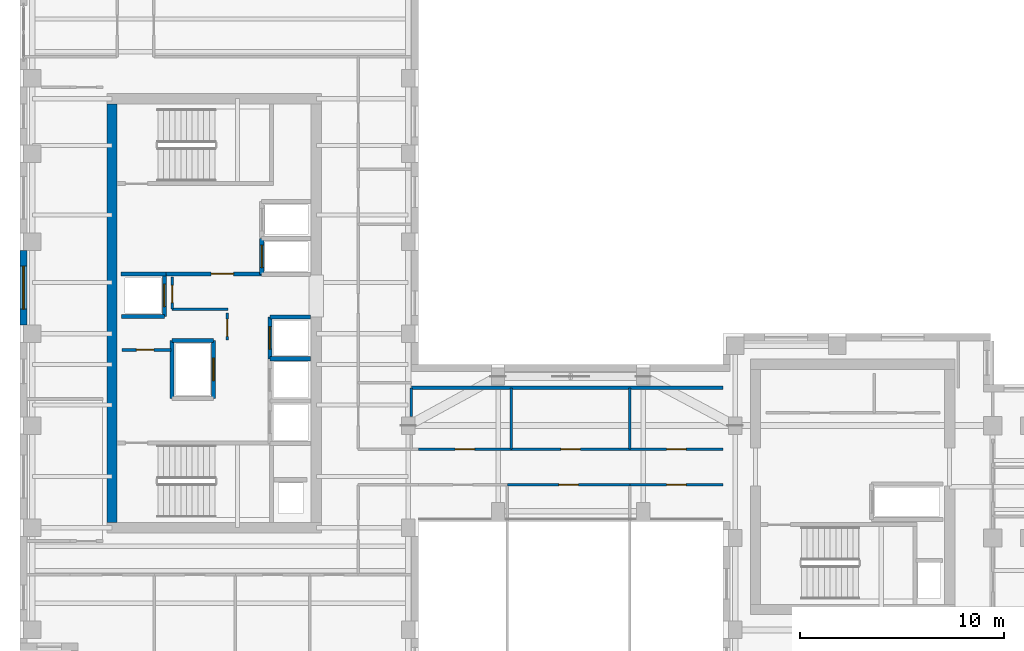
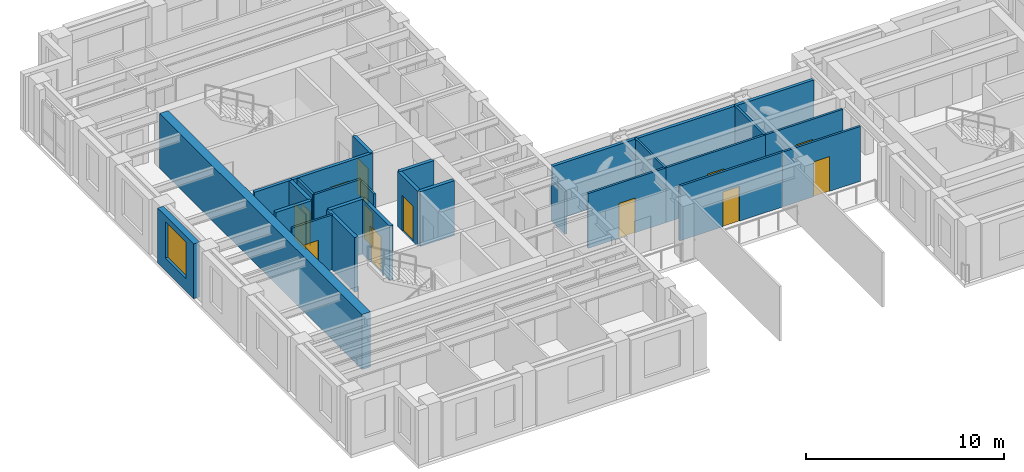
# One storey, part 7 of 14: 26 walls, 13 doors, 1 window, 14 openings.
"""IFC4 building model written with IfcOpenShell, lengths in metres."""

import ifcopenshell
import ifcopenshell.guid

model = None  # the IFC model being written
_history = None  # IfcOwnerHistory: only IFC2X3 demands one
_inside = {}  # id of a spatial element -> (the spatial element, [elements in it])
_under = {}  # id of a project, library or spatial element -> (it, [spatial elements below it])
_declared = {}  # id of a project -> (the project, [libraries it declares])
_typed = {}  # id of a type object -> (the type object, [elements of that type])
_made_of = {}  # id of a material, layer set ... -> (it, [elements and type objects made of it])


def new_model(schema):
    """Start an empty IFC model of exactly this schema.

    Asked for "IFC4X3", IfcOpenShell would pick the latest addendum, in which some entities
    have other attributes; the version numbers below select the first issue.
    IFC2X3 requires an IfcOwnerHistory on every rooted entity: one is made here for all.
    """
    global model, _history
    if schema == "IFC4X3":
        model = ifcopenshell.file(schema_version=(4, 3, 0, 0))
    else:
        model = ifcopenshell.file(schema=schema)
    _inside.clear()
    _under.clear()
    _declared.clear()
    _typed.clear()
    _made_of.clear()
    _history = None
    if model.schema == "IFC2X3":
        org = make("IfcOrganization", Name="unknown")
        user = make(
            "IfcPersonAndOrganization",
            ThePerson=make("IfcPerson", FamilyName="unknown"),
            TheOrganization=org,
        )
        app = make(
            "IfcApplication",
            ApplicationDeveloper=org,
            Version="unknown",
            ApplicationFullName="unknown",
            ApplicationIdentifier="unknown",
        )
        _history = make(
            "IfcOwnerHistory",
            OwningUser=user,
            OwningApplication=app,
            ChangeAction="ADDED",
            CreationDate=0,
        )
    return model


def make(cls, **values):
    """One entity of the class cls with the attributes given. An attribute that is None is left unset."""
    return model.create_entity(
        cls, **{name: value for name, value in values.items() if value is not None}
    )


def rooted(cls, **values):
    """An entity with a GlobalId (a new one), such as an element, a storey or a relation."""
    return make(cls, GlobalId=ifcopenshell.guid.new(), OwnerHistory=_history, **values)


def si_unit(unit_type, name, prefix=None):
    """IfcSIUnit, for example si_unit("LENGTHUNIT", "METRE", prefix="MILLI")."""
    return make("IfcSIUnit", UnitType=unit_type, Prefix=prefix, Name=name)


def assignment(units):
    """IfcUnitAssignment: the units of a project."""
    return None if units is None else make("IfcUnitAssignment", Units=units)


def point(xyz):
    """IfcCartesianPoint."""
    return None if xyz is None else make("IfcCartesianPoint", Coordinates=xyz)


def direction(xyz):
    """IfcDirection."""
    return None if xyz is None else make("IfcDirection", DirectionRatios=xyz)


def frame(location, z_axis=None, x_axis=None):
    """IfcAxis2Placement3D, a coordinate frame: its origin and axes. An axis left out is left unset."""
    return make(
        "IfcAxis2Placement3D",
        Location=point(location),
        Axis=direction(z_axis),
        RefDirection=direction(x_axis),
    )


def frame_2d(location, x_axis=None):
    """IfcAxis2Placement2D, a coordinate frame in the plane: its origin and x axis."""
    return make(
        "IfcAxis2Placement2D", Location=point(location), RefDirection=direction(x_axis)
    )


def origin():
    """The frame at (0, 0, 0) with its axes left unset."""
    return frame((0.0, 0.0, 0.0))


def place(relative_to, where):
    """IfcLocalPlacement: puts the frame where relative to a parent placement (None: the world)."""
    return make(
        "IfcLocalPlacement", PlacementRelTo=relative_to, RelativePlacement=where
    )


def context(
    kind, dimensions, precision=None, world=None, true_north=None, identifier=None
):
    """IfcGeometricRepresentationContext, for example the 3D "Model" context."""
    return make(
        "IfcGeometricRepresentationContext",
        ContextIdentifier=identifier,
        ContextType=kind,
        CoordinateSpaceDimension=dimensions,
        Precision=precision,
        WorldCoordinateSystem=world,
        TrueNorth=true_north,
    )


def subcontext(parent, identifier, kind, view, scale=None):
    """IfcGeometricRepresentationSubContext, for example "Body" below "Model"."""
    return make(
        "IfcGeometricRepresentationSubContext",
        ContextIdentifier=identifier,
        ContextType=kind,
        ParentContext=parent,
        TargetScale=scale,
        TargetView=view,
    )


def project(units=None, contexts=None):
    """IfcProject with its units and contexts."""
    return rooted(
        "IfcProject",
        Name="project",
        RepresentationContexts=contexts,
        UnitsInContext=assignment(units),
    )


def spatial(cls, under=None, at=None, **own):
    """A site, building, storey or space (cls), placed at a placement, below another one or the project."""
    s = rooted(cls, ObjectPlacement=at, **own)
    if under is not None:
        _under.setdefault(under.id(), (under, []))[1].append(s)
    return s


def profile(cls, at=None, kind="AREA", **sizes):
    """A parametric profile (cls). Its sizes go by their IFC names, for example OverallWidth=200.0."""
    return make(cls, ProfileType=kind, Position=at, **sizes)


def rectangle(**sizes):
    """IfcRectangleProfileDef."""
    return profile("IfcRectangleProfileDef", **sizes)


def extrude(swept, where, along, depth):
    """IfcExtrudedAreaSolid: the profile swept, set in the frame where, extruded along a direction by depth."""
    return make(
        "IfcExtrudedAreaSolid",
        SweptArea=swept,
        Position=where,
        ExtrudedDirection=direction(along),
        Depth=depth,
    )


def shape(context_of_items, identifier, shape_type, items):
    """IfcShapeRepresentation: the items that make up one representation, for example the "Body"."""
    return make(
        "IfcShapeRepresentation",
        ContextOfItems=context_of_items,
        RepresentationIdentifier=identifier,
        RepresentationType=shape_type,
        Items=items,
    )


def source(mapping_origin, context_of_items, identifier, shape_type, items):
    """IfcRepresentationMap: a shape defined once, which mapped items show again and again."""
    return make(
        "IfcRepresentationMap",
        MappingOrigin=mapping_origin,
        MappedRepresentation=shape(context_of_items, identifier, shape_type, items),
    )


def transform(
    local_origin,
    x_axis=None,
    y_axis=None,
    z_axis=None,
    scale=None,
    scale2=None,
    scale3=None,
    uniform=True,
):
    """IfcCartesianTransformationOperator3D, or its non-uniform kind. x_axis, y_axis, z_axis: its Axis1, 2, 3."""
    if uniform:
        return make(
            "IfcCartesianTransformationOperator3D",
            Axis1=direction(x_axis),
            Axis2=direction(y_axis),
            LocalOrigin=point(local_origin),
            Scale=scale,
            Axis3=direction(z_axis),
        )
    return make(
        "IfcCartesianTransformationOperator3DnonUniform",
        Axis1=direction(x_axis),
        Axis2=direction(y_axis),
        LocalOrigin=point(local_origin),
        Scale=scale,
        Axis3=direction(z_axis),
        Scale2=scale2,
        Scale3=scale3,
    )


def mapped(mapping_source, mapping_target):
    """IfcMappedItem: shows the shape of a source again, moved by a transform."""
    return make(
        "IfcMappedItem", MappingSource=mapping_source, MappingTarget=mapping_target
    )


def material(Name=None, Category=None):
    """IfcMaterial."""
    return make("IfcMaterial", Name=Name, Category=Category)


def layer(
    of_material, thickness, ventilated=None, Name=None, Category=None, Priority=None
):
    """IfcMaterialLayer: one layer of a wall or slab, of a material (None: an air gap)."""
    return make(
        "IfcMaterialLayer",
        Material=of_material,
        LayerThickness=thickness,
        IsVentilated=ventilated,
        Name=Name,
        Category=Category,
        Priority=Priority,
    )


def layer_set(layers, Name=None):
    """IfcMaterialLayerSet."""
    return make("IfcMaterialLayerSet", MaterialLayers=layers, LayerSetName=Name)


def made_of(thing, what):
    """Note that an element or type object is made of a material, layer set ...; save() writes the relation."""
    if what is not None:
        _made_of.setdefault(what.id(), (what, []))[1].append(thing)
    return thing


def type_object(cls, material=None, **own):
    """A type object (cls), such as IfcWallType, which elements share."""
    return made_of(rooted(cls, **own), material)


def element(
    cls,
    number,
    at=None,
    inside=None,
    cuts=None,
    type_object=None,
    material=None,
    context=None,
    identifier="Body",
    shape_type=None,
    held_by="IfcProductDefinitionShape",
    body=None,
    shapes=None,
    **own,
):
    """One element of the class cls, such as IfcWall. Its Tag is "e" and its number.

    at: its placement. inside: the storey or other place that contains it. cuts: it is an
    opening in that element (IfcRelVoidsElement). A single representation is given by context,
    identifier, shape_type and body (its items); several are given by shapes. held_by: the class
    of the entity that holds the representations. save() writes the other relations.
    """
    e = rooted(cls, Tag="e%d" % number, ObjectPlacement=at, **own)
    if body is not None:
        shapes = [shape(context, identifier, shape_type, body)]
    if shapes is not None:
        e.Representation = make(held_by, Representations=shapes)
    if inside is not None:
        _inside.setdefault(inside.id(), (inside, []))[1].append(e)
    if cuts is not None:
        rooted(
            "IfcRelVoidsElement", RelatingBuildingElement=cuts, RelatedOpeningElement=e
        )
    if type_object is not None:
        _typed.setdefault(type_object.id(), (type_object, []))[1].append(e)
    return made_of(e, material)


def fill(opening, filler):
    """IfcRelFillsElement: the door or window that sits in an opening."""
    return rooted(
        "IfcRelFillsElement",
        RelatingOpeningElement=opening,
        RelatedBuildingElement=filler,
    )


def aggregate(whole, parts):
    """IfcRelAggregates: a whole, such as a stair, and the parts it consists of."""
    return rooted("IfcRelAggregates", RelatingObject=whole, RelatedObjects=parts)


def save(model, path):
    """Write the relations noted so far, then the file.

    IfcRelAggregates (storeys below a building ...), IfcRelContainedInSpatialStructure (elements
    in a storey), IfcRelDefinesByType, IfcRelAssociatesMaterial and IfcRelDeclares: one each for
    every whole, place, type object, material and project.
    """
    for whole, parts in _under.values():
        aggregate(whole, parts)
    for where, things in _inside.values():
        rooted(
            "IfcRelContainedInSpatialStructure",
            RelatedElements=things,
            RelatingStructure=where,
        )
    for kind, things in _typed.values():
        rooted("IfcRelDefinesByType", RelatedObjects=things, RelatingType=kind)
    for what, things in _made_of.values():
        rooted("IfcRelAssociatesMaterial", RelatedObjects=things, RelatingMaterial=what)
    for by, libraries in _declared.values():
        rooted("IfcRelDeclares", RelatingContext=by, RelatedDefinitions=libraries)
    model.write(path)


model = new_model("IFC4")

# Units and contexts
model_context = context("Model", 3, precision=1e-05, world=origin(), true_north=direction((0.0, 1.0)))
body_context = subcontext(model_context, "Body", "Model", "MODEL_VIEW")
ifc_project = project(units=[si_unit("LENGTHUNIT", "METRE"), si_unit("AREAUNIT", "SQUARE_METRE"), si_unit("VOLUMEUNIT", "CUBIC_METRE"), si_unit("PLANEANGLEUNIT", "RADIAN"), si_unit("MASSUNIT", "GRAM", prefix="KILO")], contexts=[model_context])

# Site, building, storey
site_placement = place(None, origin())
site = spatial("IfcSite", under=ifc_project, at=site_placement, CompositionType="ELEMENT")
building_placement = place(site_placement, origin())
building = spatial("IfcBuilding", under=site, at=building_placement, Name="Kharzan Plaza Tower", CompositionType="ELEMENT")
storey_placement = place(building_placement, frame((0.0, 0.0, 241.199951171875)))
storey = spatial("IfcBuildingStorey", under=building, at=storey_placement, Name="L65", CompositionType="ELEMENT", Elevation=241.199951171875)

# Wall, opening, window
ifc_material_1 = material(Name="Concrete C40/50", Category="concrete")
ifc_layer_1 = layer(ifc_material_1, 0.35009765625)
ifc_layer_set_1 = layer_set([ifc_layer_1], Name="Concrete C40/50")
wall_type_1 = type_object("IfcWallType", Name="WL-EXT-MAS-Z4", PredefinedType="SOLIDWALL", material=ifc_layer_set_1)
wall_1_placement = place(storey_placement, frame((0.175048828125, 22.076904296875, 0.0), z_axis=(0.0, 0.0, 1.0), x_axis=(0.0, -1.0, 0.0)))
wall_1 = element("IfcWall", 1, at=wall_1_placement, inside=storey, type_object=wall_type_1, Name="L65 Masonry-Frame Exterior Wall 20", PredefinedType="SOLIDWALL", context=body_context, shape_type="SweptSolid", body=[
    extrude(rectangle(XDim=3.65380859375, YDim=0.35009765625, at=frame_2d((1.826904296875, 0.0))), origin(), (0.0, 0.0, 1.0), 3.385009765625),
])
opening_1_placement = place(wall_1_placement, frame((0.777099609375, 0.0, 0.780029296875)))
opening_1 = element("IfcOpeningElement", 2, at=opening_1_placement, cuts=wall_1, Name="Opening W6", PredefinedType="OPENING", context=body_context, shape_type="SweptSolid", body=[
    extrude(rectangle(XDim=2.10009765625, YDim=2.25, at=frame_2d((1.050048828125, 1.125))), frame((0.0, 0.18505859375, 0.0), z_axis=(0.0, -1.0, 0.0), x_axis=(1.0, 0.0, 0.0)), (0.0, 0.0, 1.0), 0.3701171875),
])
ifc_material_2 = material(Name="Low-E Double Glazing", Category="glass")
window_type = type_object("IfcWindowType", Name="WN-EXEC-2100x2250", PartitioningType="SINGLE_PANEL", PredefinedType="WINDOW", material=ifc_material_2)
shared_shape_1 = source(origin(), body_context, "Body", "SweptSolid", [
    extrude(rectangle(XDim=2.10009765625, YDim=2.25, at=frame_2d((1.050048828125, 1.125))), frame((0.0, 0.030029296875, 0.0), z_axis=(0.0, -1.0, 0.0), x_axis=(1.0, 0.0, 0.0)), (0.0, 0.0, 1.0), 0.06005859375),
])
window_placement = place(opening_1_placement, origin())
window = element("IfcWindow", 3, at=window_placement, inside=storey, type_object=window_type, Name="L65 Recessed Solar-Control Window 20-1", OverallHeight=2.25, OverallWidth=2.10009765625, PartitioningType="SINGLE_PANEL", PredefinedType="WINDOW", context=body_context, shape_type="MappedRepresentation", body=[
    mapped(shared_shape_1, transform((0.0, 0.0, 0.0), x_axis=(1.0, 0.0, 0.0), y_axis=(0.0, 1.0, 0.0), z_axis=(0.0, 0.0, 1.0))),
])
fill(opening_1, window)

# Wall, opening, door
ifc_layer_2 = layer(ifc_material_1, 0.179931640625)
ifc_layer_set_2 = layer_set([ifc_layer_2], Name="Concrete C40/50")
wall_type_2 = type_object("IfcWallType", Name="WL-INT-FIRE-180", PredefinedType="PARTITIONING", material=ifc_layer_set_2)
wall_2_placement = place(storey_placement, frame((7.14990234375, 20.919921875, 0.0), z_axis=(0.0, 0.0, 1.0), x_axis=(1.0, 0.0, 0.0)))
wall_2 = element("IfcWall", 4, at=wall_2_placement, inside=storey, type_object=wall_type_2, Name="L65 Interior Partition CA-FF-S", PredefinedType="PARTITIONING", context=body_context, shape_type="SweptSolid", body=[
    extrude(rectangle(XDim=4.68017578125, YDim=0.179931640625, at=frame_2d((2.340087890625, 0.0))), origin(), (0.0, 0.0, 1.0), 3.385009765625),
])
opening_2_placement = place(wall_2_placement, frame((2.199951171875, 0.0, 0.0)))
opening_2 = element("IfcOpeningElement", 5, at=opening_2_placement, cuts=wall_2, Name="Opening FD1", PredefinedType="OPENING", context=body_context, shape_type="SweptSolid", body=[
    extrude(rectangle(XDim=1.10009765625, YDim=2.14990234375, at=frame_2d((0.550048828125, 1.074951171875))), frame((0.0, 0.099853515625, 0.0), z_axis=(0.0, -1.0, 0.0), x_axis=(1.0, 0.0, 0.0)), (0.0, 0.0, 1.0), 0.199951171875),
])
ifc_material_3 = material(Name="Fire-Rated Acoustic Vision-Panel Steel", Category="steel")
door_type_1 = type_object("IfcDoorType", Name="DR-FIRE-LOBBY", OperationType="NOTDEFINED", PredefinedType="DOOR", material=ifc_material_3)
shared_shape_2 = source(origin(), body_context, "Body", "SweptSolid", [
    extrude(rectangle(XDim=1.10009765625, YDim=2.14990234375, at=frame_2d((0.550048828125, 1.074951171875))), frame((0.0, 0.02490234375, 0.0), z_axis=(0.0, -1.0, 0.0), x_axis=(1.0, 0.0, 0.0)), (0.0, 0.0, 1.0), 0.050048828125),
])
door_1_placement = place(opening_2_placement, origin())
door_1 = element("IfcDoor", 6, at=door_1_placement, inside=storey, type_object=door_type_1, Name="L65 Firefighting Lobby Door", OperationType="SINGLE_SWING_LEFT", OverallHeight=2.14990234375, OverallWidth=1.10009765625, PredefinedType="DOOR", context=body_context, shape_type="MappedRepresentation", body=[
    mapped(shared_shape_2, transform((0.0, 0.0, 0.0), x_axis=(1.0, 0.0, 0.0), y_axis=(0.0, 1.0, 0.0), z_axis=(0.0, 0.0, 1.0))),
])
fill(opening_2, door_1)

ifc_material_4 = material(Name="Fire-Rated Gypsum Board Partition", Category="gypsum")
ifc_layer_3 = layer(ifc_material_4, 0.125)
ifc_layer_set_3 = layer_set([ifc_layer_3], Name="Fire-Rated Gypsum Board Partition")
wall_type_3 = type_object("IfcWallType", Name="WL-INT-PART-125", PredefinedType="PARTITIONING", material=ifc_layer_set_3)
wall_3_placement = place(storey_placement, frame((10.14990234375, 17.679931640625, 0.0), z_axis=(0.0, 0.0, 1.0), x_axis=(0.0, 1.0, 0.0)))
wall_3 = element("IfcWall", 7, at=wall_3_placement, inside=storey, type_object=wall_type_3, Name="L65 Interior Partition CA-K2A", PredefinedType="PARTITIONING", context=body_context, shape_type="SweptSolid", body=[
    extrude(rectangle(XDim=1.320068359375, YDim=0.125, at=frame_2d((0.66015625, 0.0))), origin(), (0.0, 0.0, 1.0), 3.385009765625),
])
opening_3_placement = place(wall_3_placement, frame((0.18505859375, 0.0, 0.0)))
opening_3 = element("IfcOpeningElement", 8, at=opening_3_placement, cuts=wall_3, Name="Opening RD1", PredefinedType="OPENING", context=body_context, shape_type="SweptSolid", body=[
    extrude(rectangle(XDim=0.85009765625, YDim=2.10009765625, at=frame_2d((0.425048828125, 1.050048828125))), frame((0.0, 0.072509765625, 0.0), z_axis=(0.0, -1.0, 0.0), x_axis=(1.0, 0.0, 0.0)), (0.0, 0.0, 1.0), 0.14501953125),
])
ifc_material_5 = material(Name="Powder-Coated Fire-Rated Steel", Category="steel")
door_type_2 = type_object("IfcDoorType", Name="DR-RISER-900", OperationType="NOTDEFINED", PredefinedType="DOOR", material=ifc_material_5)
shared_shape_3 = source(origin(), body_context, "Body", "SweptSolid", [
    extrude(rectangle(XDim=0.85009765625, YDim=2.10009765625, at=frame_2d((0.425048828125, 1.050048828125))), frame((0.0, 0.02490234375, 0.0), z_axis=(0.0, -1.0, 0.0), x_axis=(1.0, 0.0, 0.0)), (0.0, 0.0, 1.0), 0.050048828125),
])
door_2_placement = place(opening_3_placement, origin())
door_2 = element("IfcDoor", 9, at=door_2_placement, inside=storey, type_object=door_type_2, Name="L65 Core Mechanical Store Door", OperationType="SINGLE_SWING_RIGHT", OverallHeight=2.10009765625, OverallWidth=0.85009765625, PredefinedType="DOOR", context=body_context, shape_type="MappedRepresentation", body=[
    mapped(shared_shape_3, transform((0.0, 0.0, 0.0), x_axis=(1.0, 0.0, 0.0), y_axis=(0.0, 1.0, 0.0), z_axis=(0.0, 0.0, 1.0))),
])
fill(opening_3, door_2)

wall_4_placement = place(storey_placement, frame((7.449951171875, 19.199951171875, 0.0), z_axis=(0.0, 0.0, 1.0), x_axis=(0.0, 1.0, 0.0)))
wall_4 = element("IfcWall", 10, at=wall_4_placement, inside=storey, type_object=wall_type_3, Name="L65 Interior Partition CA-K2B", PredefinedType="PARTITIONING", context=body_context, shape_type="SweptSolid", body=[
    extrude(rectangle(XDim=1.580078125, YDim=0.125, at=frame_2d((0.7900390625, 0.0))), origin(), (0.0, 0.0, 1.0), 3.385009765625),
])
opening_4_placement = place(wall_4_placement, frame((0.31494140625, 0.0, 0.0)))
opening_4 = element("IfcOpeningElement", 11, at=opening_4_placement, cuts=wall_4, Name="Opening RD1", PredefinedType="OPENING", context=body_context, shape_type="SweptSolid", body=[
    extrude(rectangle(XDim=0.85009765625, YDim=2.10009765625, at=frame_2d((0.425048828125, 1.050048828125))), frame((0.0, 0.072509765625, 0.0), z_axis=(0.0, -1.0, 0.0), x_axis=(1.0, 0.0, 0.0)), (0.0, 0.0, 1.0), 0.14501953125),
])
door_3_placement = place(opening_4_placement, origin())
door_3 = element("IfcDoor", 12, at=door_3_placement, inside=storey, type_object=door_type_2, Name="L65 Core Plant Store Door", OperationType="SINGLE_SWING_LEFT", OverallHeight=2.10009765625, OverallWidth=0.85009765625, PredefinedType="DOOR", context=body_context, shape_type="MappedRepresentation", body=[
    mapped(shared_shape_3, transform((0.0, 0.0, 0.0), x_axis=(1.0, 0.0, 0.0), y_axis=(0.0, 1.0, 0.0), z_axis=(0.0, 0.0, 1.0))),
])
fill(opening_4, door_3)

wall_5_placement = place(storey_placement, frame((5.0, 17.199951171875, 0.0), z_axis=(0.0, 0.0, 1.0), x_axis=(1.0, 0.0, 0.0)))
wall_5 = element("IfcWall", 13, at=wall_5_placement, inside=storey, type_object=wall_type_3, Name="L65 Interior Partition CA-K2N0", PredefinedType="PARTITIONING", context=body_context, shape_type="SweptSolid", body=[
    extrude(rectangle(XDim=2.39990234375, YDim=0.125, at=frame_2d((1.199951171875, 0.0))), origin(), (0.0, 0.0, 1.0), 3.385009765625),
])
opening_5_placement = place(wall_5_placement, frame((0.699951171875, 0.0, 0.0)))
opening_5 = element("IfcOpeningElement", 14, at=opening_5_placement, cuts=wall_5, Name="Opening RD1", PredefinedType="OPENING", context=body_context, shape_type="SweptSolid", body=[
    extrude(rectangle(XDim=0.85009765625, YDim=2.10009765625, at=frame_2d((0.425048828125, 1.050048828125))), frame((0.0, 0.072509765625, 0.0), z_axis=(0.0, -1.0, 0.0), x_axis=(1.0, 0.0, 0.0)), (0.0, 0.0, 1.0), 0.14501953125),
])
door_4_placement = place(opening_5_placement, origin())
door_4 = element("IfcDoor", 15, at=door_4_placement, inside=storey, type_object=door_type_2, Name="L65 Core Electrical Store Door", OperationType="SINGLE_SWING_LEFT", OverallHeight=2.10009765625, OverallWidth=0.85009765625, PredefinedType="DOOR", context=body_context, shape_type="MappedRepresentation", body=[
    mapped(shared_shape_3, transform((0.0, 0.0, 0.0), x_axis=(1.0, 0.0, 0.0), y_axis=(0.0, 1.0, 0.0), z_axis=(0.0, 0.0, 1.0))),
])
fill(opening_5, door_4)

wall_6_placement = place(storey_placement, frame((29.85009765625, 12.35009765625, 0.0), z_axis=(0.0, 0.0, 1.0), x_axis=(1.0, 0.0, 0.0)))
wall_6 = element("IfcWall", 16, at=wall_6_placement, inside=storey, type_object=wall_type_3, Name="L65 Interior Partition SH-SPNE1", PredefinedType="PARTITIONING", context=body_context, shape_type="SweptSolid", body=[
    extrude(rectangle(XDim=4.5498046875, YDim=0.125, at=frame_2d((2.27490234375, 0.0))), origin(), (0.0, 0.0, 1.0), 3.385009765625),
])
opening_6_placement = place(wall_6_placement, frame((1.800048828125, 0.0, 0.0)))
opening_6 = element("IfcOpeningElement", 17, at=opening_6_placement, cuts=wall_6, Name="Opening OD1", PredefinedType="OPENING", context=body_context, shape_type="SweptSolid", body=[
    extrude(rectangle(XDim=0.949951171875, YDim=2.14990234375, at=frame_2d((0.47509765625, 1.074951171875))), frame((0.0, 0.072509765625, 0.0), z_axis=(0.0, -1.0, 0.0), x_axis=(1.0, 0.0, 0.0)), (0.0, 0.0, 1.0), 0.14501953125),
])
ifc_material_6 = material(Name="Acoustic Solid-Core Stained Oak", Category="timber")
door_type_3 = type_object("IfcDoorType", Name="DR-OFF-SINGLE", OperationType="NOTDEFINED", PredefinedType="DOOR", material=ifc_material_6)
shared_shape_4 = source(origin(), body_context, "Body", "SweptSolid", [
    extrude(rectangle(XDim=0.949951171875, YDim=2.14990234375, at=frame_2d((0.47509765625, 1.074951171875))), frame((0.0, 0.02490234375, 0.0), z_axis=(0.0, -1.0, 0.0), x_axis=(1.0, 0.0, 0.0)), (0.0, 0.0, 1.0), 0.050048828125),
])
door_5_placement = place(opening_6_placement, origin())
door_5 = element("IfcDoor", 18, at=door_5_placement, inside=storey, type_object=door_type_3, Name="L65 North-East Spine Door", OperationType="SINGLE_SWING_RIGHT", OverallHeight=2.14990234375, OverallWidth=0.949951171875, PredefinedType="DOOR", context=body_context, shape_type="MappedRepresentation", body=[
    mapped(shared_shape_4, transform((0.0, 0.0, 0.0), x_axis=(1.0, 0.0, 0.0), y_axis=(0.0, 1.0, 0.0), z_axis=(0.0, 0.0, 1.0))),
])
fill(opening_6, door_5)

wall_7_placement = place(storey_placement, frame((24.050048828125, 12.35009765625, 0.0), z_axis=(0.0, 0.0, 1.0), x_axis=(1.0, 0.0, 0.0)))
wall_7 = element("IfcWall", 19, at=wall_7_placement, inside=storey, type_object=wall_type_3, Name="L65 Interior Partition SH-SPNM", PredefinedType="PARTITIONING", context=body_context, shape_type="SweptSolid", body=[
    extrude(rectangle(XDim=5.800048828125, YDim=0.125, at=frame_2d((2.89990234375, 0.0))), origin(), (0.0, 0.0, 1.0), 3.385009765625),
])
opening_7_placement = place(wall_7_placement, frame((2.425048828125, 0.0, 0.0)))
opening_7 = element("IfcOpeningElement", 20, at=opening_7_placement, cuts=wall_7, Name="Opening OD1", PredefinedType="OPENING", context=body_context, shape_type="SweptSolid", body=[
    extrude(rectangle(XDim=0.949951171875, YDim=2.14990234375, at=frame_2d((0.47509765625, 1.074951171875))), frame((0.0, 0.072509765625, 0.0), z_axis=(0.0, -1.0, 0.0), x_axis=(1.0, 0.0, 0.0)), (0.0, 0.0, 1.0), 0.14501953125),
])
door_6_placement = place(opening_7_placement, origin())
door_6 = element("IfcDoor", 21, at=door_6_placement, inside=storey, type_object=door_type_3, Name="L65 Reclaimed Spine Door", OperationType="SINGLE_SWING_LEFT", OverallHeight=2.14990234375, OverallWidth=0.949951171875, PredefinedType="DOOR", context=body_context, shape_type="MappedRepresentation", body=[
    mapped(shared_shape_4, transform((0.0, 0.0, 0.0), x_axis=(1.0, 0.0, 0.0), y_axis=(0.0, 1.0, 0.0), z_axis=(0.0, 0.0, 1.0))),
])
fill(opening_7, door_6)

wall_8_placement = place(storey_placement, frame((19.5, 12.35009765625, 0.0), z_axis=(0.0, 0.0, 1.0), x_axis=(1.0, 0.0, 0.0)))
wall_8 = element("IfcWall", 22, at=wall_8_placement, inside=storey, type_object=wall_type_3, Name="L65 Interior Partition SH-SPNW1", PredefinedType="PARTITIONING", context=body_context, shape_type="SweptSolid", body=[
    extrude(rectangle(XDim=4.550048828125, YDim=0.125, at=frame_2d((2.27490234375, 0.0))), origin(), (0.0, 0.0, 1.0), 3.385009765625),
])
opening_8_placement = place(wall_8_placement, frame((1.800048828125, 0.0, 0.0)))
opening_8 = element("IfcOpeningElement", 23, at=opening_8_placement, cuts=wall_8, Name="Opening OD1", PredefinedType="OPENING", context=body_context, shape_type="SweptSolid", body=[
    extrude(rectangle(XDim=0.949951171875, YDim=2.14990234375, at=frame_2d((0.47509765625, 1.074951171875))), frame((0.0, 0.072509765625, 0.0), z_axis=(0.0, -1.0, 0.0), x_axis=(1.0, 0.0, 0.0)), (0.0, 0.0, 1.0), 0.14501953125),
])
door_7_placement = place(opening_8_placement, origin())
door_7 = element("IfcDoor", 24, at=door_7_placement, inside=storey, type_object=door_type_3, Name="L65 North-West Spine Door", OperationType="SINGLE_SWING_LEFT", OverallHeight=2.14990234375, OverallWidth=0.949951171875, PredefinedType="DOOR", context=body_context, shape_type="MappedRepresentation", body=[
    mapped(shared_shape_4, transform((0.0, 0.0, 0.0), x_axis=(1.0, 0.0, 0.0), y_axis=(0.0, 1.0, 0.0), z_axis=(0.0, 0.0, 1.0))),
])
fill(opening_8, door_7)

wall_9_placement = place(storey_placement, frame((23.85009765625, 10.60009765625, 0.0), z_axis=(0.0, 0.0, 1.0), x_axis=(1.0, 0.0, 0.0)))
wall_9 = element("IfcWall", 25, at=wall_9_placement, inside=storey, type_object=wall_type_3, Name="L65 Interior Partition SH-SPS2", PredefinedType="PARTITIONING", context=body_context, shape_type="SweptSolid", body=[
    extrude(rectangle(XDim=6.0, YDim=0.125, at=frame_2d((3.0, 0.0))), origin(), (0.0, 0.0, 1.0), 3.385009765625),
])
opening_9_placement = place(wall_9_placement, frame((2.52490234375, 0.0, 0.0)))
opening_9 = element("IfcOpeningElement", 26, at=opening_9_placement, cuts=wall_9, Name="Opening OD1", PredefinedType="OPENING", context=body_context, shape_type="SweptSolid", body=[
    extrude(rectangle(XDim=0.949951171875, YDim=2.14990234375, at=frame_2d((0.47509765625, 1.074951171875))), frame((0.0, 0.072509765625, 0.0), z_axis=(0.0, -1.0, 0.0), x_axis=(1.0, 0.0, 0.0)), (0.0, 0.0, 1.0), 0.14501953125),
])
door_8_placement = place(opening_9_placement, origin())
door_8 = element("IfcDoor", 27, at=door_8_placement, inside=storey, type_object=door_type_3, Name="L65 Spine Studio 2 Door", OperationType="SINGLE_SWING_LEFT", OverallHeight=2.14990234375, OverallWidth=0.949951171875, PredefinedType="DOOR", context=body_context, shape_type="MappedRepresentation", body=[
    mapped(shared_shape_4, transform((0.0, 0.0, 0.0), x_axis=(1.0, 0.0, 0.0), y_axis=(0.0, 1.0, 0.0), z_axis=(0.0, 0.0, 1.0))),
])
fill(opening_9, door_8)

wall_10_placement = place(storey_placement, frame((29.85009765625, 10.60009765625, 0.0), z_axis=(0.0, 0.0, 1.0), x_axis=(1.0, 0.0, 0.0)))
wall_10 = element("IfcWall", 28, at=wall_10_placement, inside=storey, type_object=wall_type_3, Name="L65 Interior Partition SH-SPS3", PredefinedType="PARTITIONING", context=body_context, shape_type="SweptSolid", body=[
    extrude(rectangle(XDim=4.5498046875, YDim=0.125, at=frame_2d((2.27490234375, 0.0))), origin(), (0.0, 0.0, 1.0), 3.385009765625),
])
opening_10_placement = place(wall_10_placement, frame((1.800048828125, 0.0, 0.0)))
opening_10 = element("IfcOpeningElement", 29, at=opening_10_placement, cuts=wall_10, Name="Opening OD1", PredefinedType="OPENING", context=body_context, shape_type="SweptSolid", body=[
    extrude(rectangle(XDim=0.949951171875, YDim=2.14990234375, at=frame_2d((0.47509765625, 1.074951171875))), frame((0.0, 0.072509765625, 0.0), z_axis=(0.0, -1.0, 0.0), x_axis=(1.0, 0.0, 0.0)), (0.0, 0.0, 1.0), 0.14501953125),
])
door_9_placement = place(opening_10_placement, origin())
door_9 = element("IfcDoor", 30, at=door_9_placement, inside=storey, type_object=door_type_3, Name="L65 Spine Studio 3 Door", OperationType="SINGLE_SWING_RIGHT", OverallHeight=2.14990234375, OverallWidth=0.949951171875, PredefinedType="DOOR", context=body_context, shape_type="MappedRepresentation", body=[
    mapped(shared_shape_4, transform((0.0, 0.0, 0.0), x_axis=(1.0, 0.0, 0.0), y_axis=(0.0, 1.0, 0.0), z_axis=(0.0, 0.0, 1.0))),
])
fill(opening_10, door_9)

ifc_layer_4 = layer(ifc_material_1, 0.199951171875)
ifc_layer_set_4 = layer_set([ifc_layer_4], Name="Concrete C40/50")
wall_type_4 = type_object("IfcWallType", Name="WL-INT-SHAFT-200", PredefinedType="PARTITIONING", material=ifc_layer_set_4)
wall_11_placement = place(storey_placement, frame((11.830078125, 20.89990234375, 0.0), z_axis=(0.0, 0.0, 1.0), x_axis=(0.0, 1.0, 0.0)))
wall_11 = element("IfcWall", 31, at=wall_11_placement, inside=storey, type_object=wall_type_4, Name="L65 Interior Partition SHF-FFL-1-W", PredefinedType="PARTITIONING", context=body_context, shape_type="SweptSolid", body=[
    extrude(rectangle(XDim=1.760009765625, YDim=0.199951171875, at=frame_2d((0.8798828125, 0.0))), origin(), (0.0, 0.0, 1.0), 3.385009765625),
])
opening_11_placement = place(wall_11_placement, frame((0.330078125, 0.0, 0.0)))
opening_11 = element("IfcOpeningElement", 32, at=opening_11_placement, cuts=wall_11, Name="Opening LD", PredefinedType="OPENING", context=body_context, shape_type="SweptSolid", body=[
    extrude(rectangle(XDim=1.10009765625, YDim=2.199951171875, at=frame_2d((0.550048828125, 1.10009765625))), frame((0.0, 0.10986328125, 0.0), z_axis=(0.0, -1.0, 0.0), x_axis=(1.0, 0.0, 0.0)), (0.0, 0.0, 1.0), 0.219970703125),
])
ifc_material_7 = material(Name="Brushed Stainless Steel", Category="steel")
door_type_4 = type_object("IfcDoorType", Name="DR-LIFT-SLIDE", OperationType="SLIDING_TO_LEFT", PredefinedType="DOOR", material=ifc_material_7)
shared_shape_5 = source(origin(), body_context, "Body", "SweptSolid", [
    extrude(rectangle(XDim=1.10009765625, YDim=2.199951171875, at=frame_2d((0.550048828125, 1.10009765625))), frame((0.0, 0.02490234375, 0.0), z_axis=(0.0, -1.0, 0.0), x_axis=(1.0, 0.0, 0.0)), (0.0, 0.0, 1.0), 0.050048828125),
])
door_10_placement = place(opening_11_placement, origin())
door_10 = element("IfcDoor", 33, at=door_10_placement, inside=storey, type_object=door_type_4, Name="L65 Firefighting Lift FFL-1 Sliding Landing Door", OperationType="SLIDING_TO_LEFT", OverallHeight=2.199951171875, OverallWidth=1.10009765625, PredefinedType="DOOR", context=body_context, shape_type="MappedRepresentation", body=[
    mapped(shared_shape_5, transform((0.0, 0.0, 0.0), x_axis=(1.0, 0.0, 0.0), y_axis=(0.0, 1.0, 0.0), z_axis=(0.0, 0.0, 1.0))),
])
fill(opening_11, door_10)

wall_12_placement = place(storey_placement, frame((12.22998046875, 16.77001953125, 0.0), z_axis=(0.0, 0.0, 1.0), x_axis=(0.0, 1.0, 0.0)))
wall_12 = element("IfcWall", 34, at=wall_12_placement, inside=storey, type_object=wall_type_4, Name="L65 Interior Partition SHF-PL-H3-W", PredefinedType="PARTITIONING", context=body_context, shape_type="SweptSolid", body=[
    extrude(rectangle(XDim=2.050048828125, YDim=0.199951171875, at=frame_2d((1.02490234375, 0.0))), origin(), (0.0, 0.0, 1.0), 3.385009765625),
])
opening_12_placement = place(wall_12_placement, frame((0.47509765625, 0.0, 0.0)))
opening_12 = element("IfcOpeningElement", 35, at=opening_12_placement, cuts=wall_12, Name="Opening LD", PredefinedType="OPENING", context=body_context, shape_type="SweptSolid", body=[
    extrude(rectangle(XDim=1.10009765625, YDim=2.199951171875, at=frame_2d((0.550048828125, 1.10009765625))), frame((0.0, 0.10986328125, 0.0), z_axis=(0.0, -1.0, 0.0), x_axis=(1.0, 0.0, 0.0)), (0.0, 0.0, 1.0), 0.219970703125),
])
door_11_placement = place(opening_12_placement, origin())
door_11 = element("IfcDoor", 36, at=door_11_placement, inside=storey, type_object=door_type_4, Name="L65 High-Rise Passenger Lift PL-H3 Sliding Landing Door", OperationType="SLIDING_TO_LEFT", OverallHeight=2.199951171875, OverallWidth=1.10009765625, PredefinedType="DOOR", context=body_context, shape_type="MappedRepresentation", body=[
    mapped(shared_shape_5, transform((0.0, 0.0, 0.0), x_axis=(1.0, 0.0, 0.0), y_axis=(0.0, 1.0, 0.0), z_axis=(0.0, 0.0, 1.0))),
])
fill(opening_12, door_11)

wall_13_placement = place(storey_placement, frame((7.070068359375, 18.840087890625, 0.0), z_axis=(0.0, 0.0, 1.0), x_axis=(0.0, 1.0, 0.0)))
wall_13 = element("IfcWall", 37, at=wall_13_placement, inside=storey, type_object=wall_type_4, Name="L65 Interior Partition SHF-PL-H4-E", PredefinedType="PARTITIONING", context=body_context, shape_type="SweptSolid", body=[
    extrude(rectangle(XDim=2.059814453125, YDim=0.199951171875, at=frame_2d((1.02978515625, 0.0))), origin(), (0.0, 0.0, 1.0), 3.385009765625),
])
opening_13_placement = place(wall_13_placement, frame((0.47998046875, 0.0, 0.0)))
opening_13 = element("IfcOpeningElement", 38, at=opening_13_placement, cuts=wall_13, Name="Opening LD", PredefinedType="OPENING", context=body_context, shape_type="SweptSolid", body=[
    extrude(rectangle(XDim=1.10009765625, YDim=2.199951171875, at=frame_2d((0.550048828125, 1.10009765625))), frame((0.0, 0.10986328125, 0.0), z_axis=(0.0, -1.0, 0.0), x_axis=(1.0, 0.0, 0.0)), (0.0, 0.0, 1.0), 0.219970703125),
])
door_12_placement = place(opening_13_placement, origin())
door_12 = element("IfcDoor", 39, at=door_12_placement, inside=storey, type_object=door_type_4, Name="L65 High-Rise Passenger Lift PL-H4 Sliding Landing Door", OperationType="SLIDING_TO_LEFT", OverallHeight=2.199951171875, OverallWidth=1.10009765625, PredefinedType="DOOR", context=body_context, shape_type="MappedRepresentation", body=[
    mapped(shared_shape_5, transform((0.0, 0.0, 0.0), x_axis=(1.0, 0.0, 0.0), y_axis=(0.0, 1.0, 0.0), z_axis=(0.0, 0.0, 1.0))),
])
fill(opening_13, door_12)

wall_14_placement = place(storey_placement, frame((9.469970703125, 14.830078125, 0.0), z_axis=(0.0, 0.0, 1.0), x_axis=(0.0, 1.0, 0.0)))
wall_14 = element("IfcWall", 40, at=wall_14_placement, inside=storey, type_object=wall_type_4, Name="L65 Interior Partition SHF-SVL-1-E", PredefinedType="PARTITIONING", context=body_context, shape_type="SweptSolid", body=[
    extrude(rectangle(XDim=2.83984375, YDim=0.199951171875, at=frame_2d((1.419921875, 0.0))), origin(), (0.0, 0.0, 1.0), 3.385009765625),
])
opening_14_placement = place(wall_14_placement, frame((0.8701171875, 0.0, 0.0)))
opening_14 = element("IfcOpeningElement", 41, at=opening_14_placement, cuts=wall_14, Name="Opening LD", PredefinedType="OPENING", context=body_context, shape_type="SweptSolid", body=[
    extrude(rectangle(XDim=1.10009765625, YDim=2.199951171875, at=frame_2d((0.550048828125, 1.10009765625))), frame((0.0, 0.10986328125, 0.0), z_axis=(0.0, -1.0, 0.0), x_axis=(1.0, 0.0, 0.0)), (0.0, 0.0, 1.0), 0.219970703125),
])
door_13_placement = place(opening_14_placement, origin())
door_13 = element("IfcDoor", 42, at=door_13_placement, inside=storey, type_object=door_type_4, Name="L65 Service Lift SVL-1 Sliding Landing Door", OperationType="SLIDING_TO_LEFT", OverallHeight=2.199951171875, OverallWidth=1.10009765625, PredefinedType="DOOR", context=body_context, shape_type="MappedRepresentation", body=[
    mapped(shared_shape_5, transform((0.0, 0.0, 0.0), x_axis=(1.0, 0.0, 0.0), y_axis=(0.0, 1.0, 0.0), z_axis=(0.0, 0.0, 1.0))),
])
fill(opening_14, door_13)

# Walls
shared_shape_6 = source(origin(), body_context, "Body", "SweptSolid", [
    extrude(rectangle(XDim=2.199951171875, YDim=0.179931640625, at=frame_2d((1.10009765625, 0.0))), origin(), (0.0, 0.0, 1.0), 3.385009765625),
])
wall_15_placement = place(storey_placement, frame((4.949951171875, 20.919921875, 0.0), z_axis=(0.0, 0.0, 1.0), x_axis=(1.0, 0.0, 0.0)))
element("IfcWall", 43, at=wall_15_placement, inside=storey, type_object=wall_type_2, Name="L65 Interior Partition CA-FF-SW", PredefinedType="PARTITIONING", context=body_context, shape_type="MappedRepresentation", body=[
    mapped(shared_shape_6, transform((0.0, 0.0, 0.0), x_axis=(1.0, 0.0, 0.0), y_axis=(0.0, 1.0, 0.0), z_axis=(0.0, 0.0, 1.0))),
])
shared_shape_7 = source(origin(), body_context, "Body", "SweptSolid", [
    extrude(rectangle(XDim=2.72998046875, YDim=0.125, at=frame_2d((1.364990234375, 0.0))), origin(), (0.0, 0.0, 1.0), 3.385009765625),
])
wall_16_placement = place(storey_placement, frame((7.449951171875, 19.199951171875, 0.0), z_axis=(0.0, 0.0, 1.0), x_axis=(1.0, 0.0, 0.0)))
element("IfcWall", 44, at=wall_16_placement, inside=storey, type_object=wall_type_3, Name="L65 Interior Partition CA-K2M", PredefinedType="PARTITIONING", context=body_context, shape_type="MappedRepresentation", body=[
    mapped(shared_shape_7, transform((0.0, 0.0, 0.0), x_axis=(1.0, 0.0, 0.0), y_axis=(0.0, 1.0, 0.0), z_axis=(0.0, 0.0, 1.0))),
])
shared_shape_8 = source(origin(), body_context, "Body", "SweptSolid", [
    extrude(rectangle(XDim=2.090087890625, YDim=0.199951171875, at=frame_2d((1.044921875, 0.0))), origin(), (0.0, 0.0, 1.0), 3.385009765625),
])
wall_17_placement = place(storey_placement, frame((4.97998046875, 18.840087890625, 0.0), z_axis=(0.0, 0.0, 1.0), x_axis=(1.0, 0.0, 0.0)))
element("IfcWall", 45, at=wall_17_placement, inside=storey, type_object=wall_type_4, Name="L65 Interior Partition SHF-PL-H4-S", PredefinedType="PARTITIONING", context=body_context, shape_type="MappedRepresentation", body=[
    mapped(shared_shape_8, transform((0.0, 0.0, 0.0), x_axis=(1.0, 0.0, 0.0), y_axis=(0.0, 1.0, 0.0), z_axis=(0.0, 0.0, 1.0))),
])
shared_shape_9 = source(origin(), body_context, "Body", "SweptSolid", [
    extrude(rectangle(XDim=2.0400390625, YDim=0.199951171875, at=frame_2d((1.02001953125, 0.0))), origin(), (0.0, 0.0, 1.0), 3.385009765625),
])
wall_18_placement = place(storey_placement, frame((7.429931640625, 17.669921875, 0.0), z_axis=(0.0, 0.0, 1.0), x_axis=(1.0, 0.0, 0.0)))
element("IfcWall", 46, at=wall_18_placement, inside=storey, type_object=wall_type_4, Name="L65 Interior Partition SHF-SVL-1-N", PredefinedType="PARTITIONING", context=body_context, shape_type="MappedRepresentation", body=[
    mapped(shared_shape_9, transform((0.0, 0.0, 0.0), x_axis=(1.0, 0.0, 0.0), y_axis=(0.0, 1.0, 0.0), z_axis=(0.0, 0.0, 1.0))),
])
shared_shape_10 = source(origin(), body_context, "Body", "SweptSolid", [
    extrude(rectangle(XDim=2.83984375, YDim=0.199951171875, at=frame_2d((1.419921875, 0.0))), origin(), (0.0, 0.0, 1.0), 3.385009765625),
])
wall_19_placement = place(storey_placement, frame((7.429931640625, 14.830078125, 0.0), z_axis=(0.0, 0.0, 1.0), x_axis=(0.0, 1.0, 0.0)))
element("IfcWall", 47, at=wall_19_placement, inside=storey, type_object=wall_type_4, Name="L65 Interior Partition SHF-SVL-1-W", PredefinedType="PARTITIONING", context=body_context, shape_type="MappedRepresentation", body=[
    mapped(shared_shape_10, transform((0.0, 0.0, 0.0), x_axis=(1.0, 0.0, 0.0), y_axis=(0.0, 1.0, 0.0), z_axis=(0.0, 0.0, 1.0))),
])
ifc_material_8 = material(Name="Concrete C50/60", Category="concrete")
ifc_layer_5 = layer(ifc_material_8, 0.5)
ifc_layer_set_5 = layer_set([ifc_layer_5], Name="Concrete C50/60")
wall_type_5 = type_object("IfcWallType", Name="WL-CORE-500", PredefinedType="SHEAR", material=ifc_layer_set_5)
shared_shape_11 = source(origin(), body_context, "Body", "SweptSolid", [
    extrude(rectangle(XDim=20.5, YDim=0.5, at=frame_2d((10.25, 0.0))), origin(), (0.0, 0.0, 1.0), 3.400146484375),
])
wall_20_placement = place(storey_placement, frame((4.5, 8.75, 0.0), z_axis=(0.0, 0.0, 1.0), x_axis=(0.0, 1.0, 0.0)))
element("IfcWall", 48, at=wall_20_placement, inside=storey, type_object=wall_type_5, Name="L65 CORE-A west RC shear wall", PredefinedType="SHEAR", context=body_context, shape_type="MappedRepresentation", body=[
    mapped(shared_shape_11, transform((0.0, 0.0, 0.0), x_axis=(1.0, 0.0, 0.0), y_axis=(0.0, 1.0, 0.0), z_axis=(0.0, 0.0, 1.0))),
])
shared_shape_12 = source(origin(), body_context, "Body", "SweptSolid", [
    extrude(rectangle(XDim=3.0, YDim=0.125, at=frame_2d((1.5, 0.0))), origin(), (0.0, 0.0, 1.0), 3.385009765625),
])
for number, where, z_axis, x_axis, name in (
    (49, (24.050048828125, 12.35009765625, 0.0), (0.0, 0.0, 1.0), (0.0, 1.0, 0.0), "L65 Interior Partition SH-SPML"),
    (50, (29.85009765625, 12.35009765625, 0.0), (0.0, 0.0, 1.0), (0.0, 1.0, 0.0), "L65 Interior Partition SH-SPMR"),
):
    element("IfcWall", number, at=place(storey_placement, frame(where, z_axis=z_axis, x_axis=x_axis)), inside=storey, type_object=wall_type_3, Name=name, PredefinedType="PARTITIONING", context=body_context, shape_type="MappedRepresentation", body=[
        mapped(shared_shape_12, transform((0.0, 0.0, 0.0), x_axis=(1.0, 0.0, 0.0), y_axis=(0.0, 1.0, 0.0), z_axis=(0.0, 0.0, 1.0))),
    ])
shared_shape_13 = source(origin(), body_context, "Body", "SweptSolid", [
    extrude(rectangle(XDim=1.989990234375, YDim=0.199951171875, at=frame_2d((0.9951171875, 0.0))), origin(), (0.0, 0.0, 1.0), 3.385009765625),
])
for number, where, z_axis, x_axis, name in (
    (51, (12.22998046875, 16.77001953125, 0.0), (0.0, 0.0, 1.0), (1.0, 0.0, 0.0), "L65 Interior Partition SHF-PL-H2-N"),
    (52, (12.22998046875, 18.820068359375, 0.0), (0.0, 0.0, 1.0), (1.0, 0.0, 0.0), "L65 Interior Partition SHF-PL-H3-N"),
):
    element("IfcWall", number, at=place(storey_placement, frame(where, z_axis=z_axis, x_axis=x_axis)), inside=storey, type_object=wall_type_4, Name=name, PredefinedType="PARTITIONING", context=body_context, shape_type="MappedRepresentation", body=[
        mapped(shared_shape_13, transform((0.0, 0.0, 0.0), x_axis=(1.0, 0.0, 0.0), y_axis=(0.0, 1.0, 0.0), z_axis=(0.0, 0.0, 1.0))),
    ])
shared_shape_14 = source(origin(), body_context, "Body", "SweptSolid", [
    extrude(rectangle(XDim=15.25, YDim=0.179931640625, at=frame_2d((7.625, 0.0))), origin(), (0.0, 0.0, 1.0), 3.385009765625),
])
wall_21_placement = place(storey_placement, frame((19.14990234375, 15.35009765625, 0.0), z_axis=(0.0, 0.0, 1.0), x_axis=(1.0, 0.0, 0.0)))
element("IfcWall", 53, at=wall_21_placement, inside=storey, type_object=wall_type_2, Name="L65 Interior Partition SH-SPNTURB", PredefinedType="PARTITIONING", context=body_context, shape_type="MappedRepresentation", body=[
    mapped(shared_shape_14, transform((0.0, 0.0, 0.0), x_axis=(1.0, 0.0, 0.0), y_axis=(0.0, 1.0, 0.0), z_axis=(0.0, 0.0, 1.0))),
])
shared_shape_15 = source(origin(), body_context, "Body", "SweptSolid", [
    extrude(rectangle(XDim=1.400146484375, YDim=0.125, at=frame_2d((0.7001953125, 0.0))), origin(), (0.0, 0.0, 1.0), 2.619140625),
])
wall_22_placement = place(storey_placement, frame((19.14990234375, 13.949951171875, 0.0), z_axis=(0.0, 0.0, 1.0), x_axis=(0.0, 1.0, 0.0)))
element("IfcWall", 54, at=wall_22_placement, inside=storey, type_object=wall_type_3, Name="L65 Interior Partition SH-AEN-DIV-S2", PredefinedType="PARTITIONING", context=body_context, shape_type="MappedRepresentation", body=[
    mapped(shared_shape_15, transform((0.0, 0.0, 0.0), x_axis=(1.0, 0.0, 0.0), y_axis=(0.0, 1.0, 0.0), z_axis=(0.0, 0.0, 1.0))),
])

save(model, "model.ifc")
